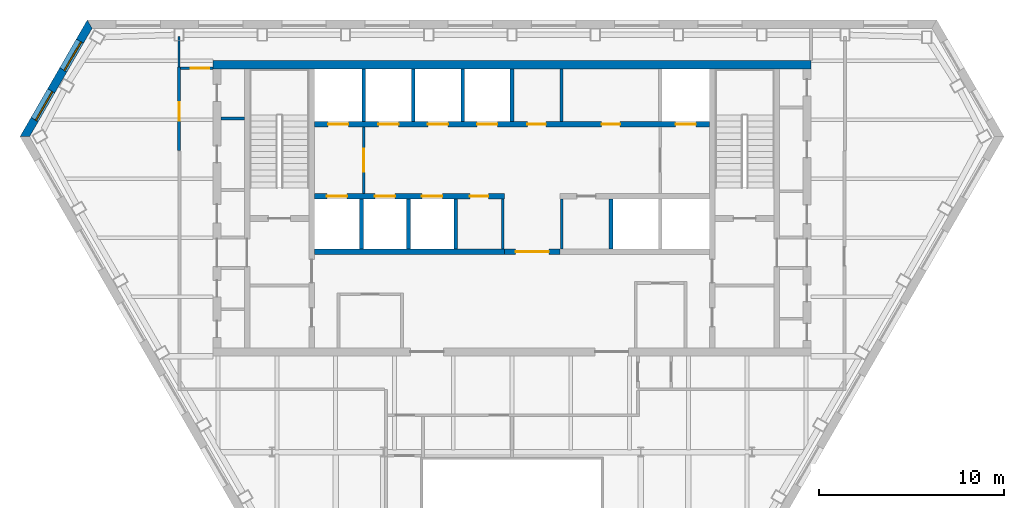
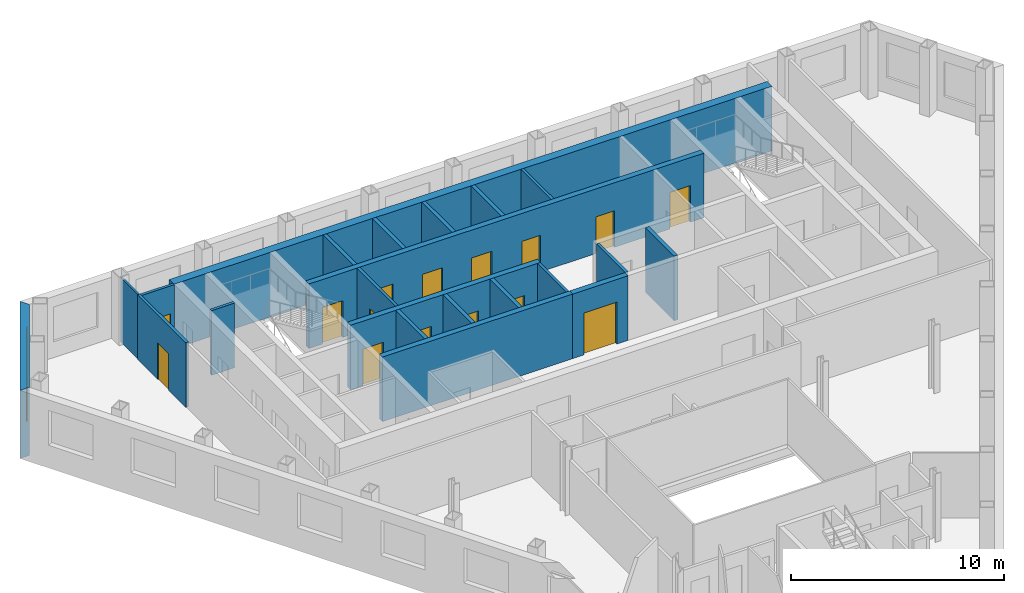
# One storey, part 6 of 11: 22 walls, 15 doors, 2 windows, 17 openings.
"""IFC4 building model written with IfcOpenShell, lengths in metres."""

from ifc_helpers import new_model, si_unit, direction, frame, frame_2d, origin, place, context, subcontext, project, spatial, polyline, rectangle, outline, extrude, material, layer, layer_set, type_object, element, fill, save


model = new_model("IFC4")

# Units and contexts
model_context = context("Model", 3, precision=1e-05, world=origin(), true_north=direction((0.0, 1.0)))
body_context = subcontext(model_context, "Body", "Model", "MODEL_VIEW")
ifc_project = project(units=[si_unit("LENGTHUNIT", "METRE"), si_unit("AREAUNIT", "SQUARE_METRE"), si_unit("VOLUMEUNIT", "CUBIC_METRE"), si_unit("PLANEANGLEUNIT", "RADIAN"), si_unit("MASSUNIT", "GRAM", prefix="KILO")], contexts=[model_context])

# Site, building, storey
site_placement = place(None, origin())
site = spatial("IfcSite", under=ifc_project, at=site_placement, CompositionType="ELEMENT")
building_placement = place(site_placement, origin())
building = spatial("IfcBuilding", under=site, at=building_placement, Name="Njiva Tower", CompositionType="ELEMENT")
storey_placement = place(building_placement, frame((0.0, 0.0, 208.2)))
storey = spatial("IfcBuildingStorey", under=building, at=storey_placement, Name="L46", CompositionType="ELEMENT", Elevation=208.2)

# Walls
ifc_material_1 = material(Name="Blockwork", Category="masonry")
ifc_layer_1 = layer(ifc_material_1, 0.15)
ifc_layer_set_1 = layer_set([ifc_layer_1], Name="Blockwork")
wall_type_1 = type_object("IfcWallType", Name="WT1 Compartment partition 150", PredefinedType="PARTITIONING", material=ifc_layer_set_1)
wall_1_placement = place(storey_placement, frame((2.675, 14.7, 0.0), z_axis=(0.0, 0.0, 1.0), x_axis=(0.0, 1.0, 0.0)))
element("IfcWall", 1, at=wall_1_placement, inside=storey, type_object=wall_type_1, Name="Partition CN5", PredefinedType="PARTITIONING", context=body_context, shape_type="SweptSolid", body=[
    extrude(rectangle(XDim=2.85, YDim=0.15, at=frame_2d((1.425, 0.0))), origin(), (0.0, 0.0, 1.0), 3.7),
])
for number, where, z_axis, x_axis, name in (
    (2, (-0.5, 7.8, 0.0), (0.0, 0.0, 1.0), (0.0, 1.0, 0.0), "Partition CS4"),
    (3, (2.7, 7.8, 0.0), (0.0, 0.0, 1.0), (0.0, 1.0, 0.0), "Partition CS5"),
):
    element("IfcWall", number, at=place(storey_placement, frame(where, z_axis=z_axis, x_axis=x_axis)), inside=storey, type_object=wall_type_1, Name=name, PredefinedType="PARTITIONING", context=body_context, shape_type="SweptSolid", body=[
        extrude(rectangle(XDim=2.7, YDim=0.15, at=frame_2d((1.35, 0.0))), origin(), (0.0, 0.0, 1.0), 3.7),
    ])
ifc_material_2 = material(Name="Concrete C60/75", Category="concrete")
ifc_layer_2 = layer(ifc_material_2, 0.45)
ifc_layer_set_2 = layer_set([ifc_layer_2], Name="Concrete C60/75")
wall_type_2 = type_object("IfcWallType", Name="WT12 Core wall 450", PredefinedType="SHEAR", material=ifc_layer_set_2)
wall_2_placement = place(storey_placement, frame((-16.2, 17.775, 0.0), z_axis=(0.0, 0.0, 1.0), x_axis=(1.0, 0.0, 0.0)))
element("IfcWall", 4, at=wall_2_placement, inside=storey, type_object=wall_type_2, Name="Core wall north", PredefinedType="SHEAR", context=body_context, shape_type="SweptSolid", body=[
    extrude(rectangle(XDim=32.4, YDim=0.45, at=frame_2d((16.2, 0.0))), origin(), (0.0, 0.0, 1.0), 3.7),
])

# Wall, opening, door
ifc_layer_3 = layer(ifc_material_1, 0.15)
ifc_layer_set_3 = layer_set([ifc_layer_3], Name="Blockwork")
wall_type_3 = type_object("IfcWallType", Name="WT2 Lobby partition 150", PredefinedType="PARTITIONING", material=ifc_layer_set_3)
wall_3_placement = place(storey_placement, frame((-8.025, 10.8, 0.0), z_axis=(0.0, 0.0, 1.0), x_axis=(0.0, 1.0, 0.0)))
wall_3 = element("IfcWall", 5, at=wall_3_placement, inside=storey, type_object=wall_type_3, Name="Firefighting lobby wall A", PredefinedType="PARTITIONING", context=body_context, shape_type="SweptSolid", body=[
    extrude(rectangle(XDim=3.6, YDim=0.15, at=frame_2d((1.8, 0.0))), origin(), (0.0, 0.0, 1.0), 3.7),
])
opening_1_placement = place(wall_3_placement, frame((1.175, 0.0, 0.0)))
opening_1 = element("IfcOpeningElement", 6, at=opening_1_placement, cuts=wall_3, Name="Opening S15-D913", PredefinedType="OPENING", context=body_context, shape_type="SweptSolid", body=[
    extrude(rectangle(XDim=1.25, YDim=2.1, at=frame_2d((0.625, 1.05))), frame((0.0, 0.085, 0.0), z_axis=(0.0, -1.0, 0.0), x_axis=(1.0, 0.0, 0.0)), (0.0, 0.0, 1.0), 0.17),
])
ifc_material_3 = material(Name="Glazed steel fire door", Category="steel")
door_type_1 = type_object("IfcDoorType", Name="D8 Vestibule corridor door 1250x2100 glazed", OperationType="SINGLE_SWING_LEFT", PredefinedType="DOOR", material=ifc_material_3)
door_1_placement = place(opening_1_placement, origin())
door_1 = element("IfcDoor", 7, at=door_1_placement, inside=storey, type_object=door_type_1, Name="Stair vestibule corridor door", OperationType="SINGLE_SWING_RIGHT", OverallHeight=2.1, OverallWidth=1.25, PredefinedType="DOOR", context=body_context, shape_type="SweptSolid", body=[
    extrude(rectangle(XDim=1.25, YDim=2.1, at=frame_2d((0.625, 1.05))), frame((0.0, 0.025, 0.0), z_axis=(0.0, -1.0, 0.0), x_axis=(1.0, 0.0, 0.0)), (0.0, 0.0, 1.0), 0.05),
])
fill(opening_1, door_1)

# Wall
ifc_material_4 = material(Name="Gypsum board on steel studs", Category="gypsum")
ifc_layer_4 = layer(ifc_material_4, 0.1)
ifc_layer_set_4 = layer_set([ifc_layer_4], Name="Gypsum board on steel studs")
wall_type_4 = type_object("IfcWallType", Name="WT20 Gypsum partition 100", PredefinedType="PARTITIONING", material=ifc_layer_set_4)
wall_4_placement = place(storey_placement, frame((-18.031, 17.657, 0.0), z_axis=(0.0, 0.0, 1.0), x_axis=(0.0, 1.0, 0.0)))
element("IfcWall", 8, at=wall_4_placement, inside=storey, type_object=wall_type_4, Name="Partition S15-P002", PredefinedType="PARTITIONING", context=body_context, shape_type="SweptSolid", body=[
    extrude(rectangle(XDim=1.643, YDim=0.1, at=frame_2d((0.8215, 0.0))), origin(), (0.0, 0.0, 1.0), 3.7),
])

# Wall, opening, door
ifc_layer_5 = layer(ifc_material_4, 0.15)
ifc_layer_set_5 = layer_set([ifc_layer_5], Name="Gypsum board on steel studs")
wall_type_5 = type_object("IfcWallType", Name="WT21 Compartment wall 150", PredefinedType="PARTITIONING", material=ifc_layer_set_5)
wall_5_placement = place(storey_placement, frame((-18.031, 13.123, 0.0), z_axis=(0.0, 0.0, 1.0), x_axis=(0.0, 1.0, 0.0)))
wall_5 = element("IfcWall", 9, at=wall_5_placement, inside=storey, type_object=wall_type_5, Name="Partition S15-P001", PredefinedType="PARTITIONING", context=body_context, shape_type="SweptSolid", body=[
    extrude(rectangle(XDim=4.534, YDim=0.15, at=frame_2d((2.267, 0.0))), origin(), (0.0, 0.0, 1.0), 3.7),
])
opening_2_placement = place(wall_5_placement, frame((1.633, 0.0, 0.0)))
opening_2 = element("IfcOpeningElement", 10, at=opening_2_placement, cuts=wall_5, Name="Opening S15-D001", PredefinedType="OPENING", context=body_context, shape_type="SweptSolid", body=[
    extrude(rectangle(XDim=1.0, YDim=2.1, at=frame_2d((0.5, 1.05))), frame((0.0, 0.085, 0.0), z_axis=(0.0, -1.0, 0.0), x_axis=(1.0, 0.0, 0.0)), (0.0, 0.0, 1.0), 0.17),
])
ifc_material_5 = material(Name="Steel fire door set", Category="steel")
door_type_2 = type_object("IfcDoorType", Name="D37 Fire door 1000x2100", OperationType="SINGLE_SWING_LEFT", PredefinedType="DOOR", material=ifc_material_5)
door_2_placement = place(opening_2_placement, origin())
door_2 = element("IfcDoor", 11, at=door_2_placement, inside=storey, type_object=door_type_2, Name="Door S15-D001", OperationType="SINGLE_SWING_RIGHT", OverallHeight=2.1, OverallWidth=1.0, PredefinedType="DOOR", context=body_context, shape_type="SweptSolid", body=[
    extrude(rectangle(XDim=1.0, YDim=2.1, at=frame_2d((0.5, 1.05))), frame((0.0, 0.025, 0.0), z_axis=(0.0, -1.0, 0.0), x_axis=(1.0, 0.0, 0.0)), (0.0, 0.0, 1.0), 0.05),
])
fill(opening_2, door_2)

wall_6_placement = place(storey_placement, frame((-17.956, 17.582, 0.0), z_axis=(0.0, 0.0, 1.0), x_axis=(1.0, 0.0, 0.0)))
wall_6 = element("IfcWall", 12, at=wall_6_placement, inside=storey, type_object=wall_type_5, Name="Partition S15-P004", PredefinedType="PARTITIONING", context=body_context, shape_type="SweptSolid", body=[
    extrude(rectangle(XDim=1.756, YDim=0.15, at=frame_2d((0.878, 0.0))), origin(), (0.0, 0.0, 1.0), 3.7),
])
opening_3_placement = place(wall_6_placement, frame((0.556, 0.0, 0.0)))
opening_3 = element("IfcOpeningElement", 13, at=opening_3_placement, cuts=wall_6, Name="Opening S15-D002", PredefinedType="OPENING", context=body_context, shape_type="SweptSolid", body=[
    extrude(rectangle(XDim=1.0, YDim=2.1, at=frame_2d((0.5, 1.05))), frame((0.0, 0.085, 0.0), z_axis=(0.0, -1.0, 0.0), x_axis=(1.0, 0.0, 0.0)), (0.0, 0.0, 1.0), 0.17),
])
door_3_placement = place(opening_3_placement, origin())
door_3 = element("IfcDoor", 14, at=door_3_placement, inside=storey, type_object=door_type_2, Name="Door S15-D002", OperationType="SINGLE_SWING_LEFT", OverallHeight=2.1, OverallWidth=1.0, PredefinedType="DOOR", context=body_context, shape_type="SweptSolid", body=[
    extrude(rectangle(XDim=1.0, YDim=2.1, at=frame_2d((0.5, 1.05))), frame((0.0, 0.025, 0.0), z_axis=(0.0, -1.0, 0.0), x_axis=(1.0, 0.0, 0.0)), (0.0, 0.0, 1.0), 0.05),
])
fill(opening_3, door_3)

# Wall
ifc_layer_6 = layer(ifc_material_1, 0.15)
ifc_layer_set_6 = layer_set([ifc_layer_6], Name="Blockwork")
wall_type_6 = type_object("IfcWallType", Name="WT3 Riser partition 150", PredefinedType="PARTITIONING", material=ifc_layer_set_6)
wall_7_placement = place(storey_placement, frame((-15.75, 14.8686, 0.0), z_axis=(0.0, 0.0, 1.0), x_axis=(1.0, 0.0, 0.0)))
element("IfcWall", 15, at=wall_7_placement, inside=storey, type_object=wall_type_6, Name="Partition strip W11", PredefinedType="PARTITIONING", context=body_context, shape_type="SweptSolid", body=[
    extrude(rectangle(XDim=1.25, YDim=0.15, at=frame_2d((0.625, 0.0))), origin(), (0.0, 0.0, 1.0), 3.7),
])

# Wall, opening, door
ifc_layer_7 = layer(ifc_material_1, 0.3)
ifc_layer_set_7 = layer_set([ifc_layer_7], Name="Blockwork")
wall_type_7 = type_object("IfcWallType", Name="WT5 Lobby partition 300", PredefinedType="PARTITIONING", material=ifc_layer_set_7)
wall_8_placement = place(storey_placement, frame((-0.4, 7.65, 0.0), z_axis=(0.0, 0.0, 1.0), x_axis=(1.0, 0.0, 0.0)))
wall_8 = element("IfcWall", 16, at=wall_8_placement, inside=storey, type_object=wall_type_7, Name="Lift lobby screen wall", PredefinedType="PARTITIONING", context=body_context, shape_type="SweptSolid", body=[
    extrude(rectangle(XDim=3.0, YDim=0.3, at=frame_2d((1.5, 0.0))), origin(), (0.0, 0.0, 1.0), 3.7),
])
opening_4_placement = place(wall_8_placement, frame((0.6, 0.0, 0.0)))
opening_4 = element("IfcOpeningElement", 17, at=opening_4_placement, cuts=wall_8, Name="Opening S15-D937", PredefinedType="OPENING", context=body_context, shape_type="SweptSolid", body=[
    extrude(rectangle(XDim=1.8, YDim=2.4, at=frame_2d((0.9, 1.2))), frame((0.0, 0.16, 0.0), z_axis=(0.0, -1.0, 0.0), x_axis=(1.0, 0.0, 0.0)), (0.0, 0.0, 1.0), 0.32),
])
ifc_material_6 = material(Name="Steel and glass door", Category="steel")
door_type_3 = type_object("IfcDoorType", Name="D3 Core entrance door 1800x2400", OperationType="DOUBLE_DOOR_SINGLE_SWING", PredefinedType="DOOR", material=ifc_material_6)
door_4_placement = place(opening_4_placement, origin())
door_4 = element("IfcDoor", 18, at=door_4_placement, inside=storey, type_object=door_type_3, Name="Core entrance door", OperationType="DOUBLE_DOOR_SINGLE_SWING", OverallHeight=2.4, OverallWidth=1.8, PredefinedType="DOOR", context=body_context, shape_type="SweptSolid", body=[
    extrude(rectangle(XDim=1.8, YDim=2.4, at=frame_2d((0.9, 1.2))), frame((0.0, 0.025, 0.0), z_axis=(0.0, -1.0, 0.0), x_axis=(1.0, 0.0, 0.0)), (0.0, 0.0, 1.0), 0.05),
])
fill(opening_4, door_4)

# Walls
ifc_material_7 = material(Name="Concrete C40/50", Category="concrete")
ifc_layer_8 = layer(ifc_material_7, 0.2)
ifc_layer_set_8 = layer_set([ifc_layer_8], Name="Concrete C40/50")
wall_type_8 = type_object("IfcWallType", Name="WT6 Lift shaft wall 200", PredefinedType="SHEAR", material=ifc_layer_set_8)
for number, where, z_axis, x_axis, name in (
    (19, (-8.025, 14.7, 0.0), (0.0, 0.0, 1.0), (0.0, 1.0, 0.0), "Shaft wall CN1"),
    (20, (-5.35, 14.7, 0.0), (0.0, 0.0, 1.0), (0.0, 1.0, 0.0), "Shaft wall CN2"),
    (21, (-2.675, 14.7, 0.0), (0.0, 0.0, 1.0), (0.0, 1.0, 0.0), "Shaft wall CN3"),
    (22, (0.0, 14.7, 0.0), (0.0, 0.0, 1.0), (0.0, 1.0, 0.0), "Shaft wall CN4"),
):
    element("IfcWall", number, at=place(storey_placement, frame(where, z_axis=z_axis, x_axis=x_axis)), inside=storey, type_object=wall_type_8, Name=name, PredefinedType="SHEAR", context=body_context, shape_type="SweptSolid", body=[
        extrude(rectangle(XDim=2.85, YDim=0.2, at=frame_2d((1.425, 0.0))), origin(), (0.0, 0.0, 1.0), 3.7),
    ])
for number, where, z_axis, x_axis, name in (
    (23, (-8.15, 7.8, 0.0), (0.0, 0.0, 1.0), (0.0, 1.0, 0.0), "Shaft wall CS1"),
    (24, (-5.6, 7.8, 0.0), (0.0, 0.0, 1.0), (0.0, 1.0, 0.0), "Shaft wall CS2"),
    (25, (-3.05, 7.8, 0.0), (0.0, 0.0, 1.0), (0.0, 1.0, 0.0), "Shaft wall CS3"),
    (26, (5.3667, 7.8, 0.0), (0.0, 0.0, 1.0), (0.0, 1.0, 0.0), "Shaft wall CS6"),
):
    element("IfcWall", number, at=place(storey_placement, frame(where, z_axis=z_axis, x_axis=x_axis)), inside=storey, type_object=wall_type_8, Name=name, PredefinedType="SHEAR", context=body_context, shape_type="SweptSolid", body=[
        extrude(rectangle(XDim=2.7, YDim=0.2, at=frame_2d((1.35, 0.0))), origin(), (0.0, 0.0, 1.0), 3.7),
    ])

# Wall, openings, doors
ifc_layer_9 = layer(ifc_material_7, 0.3)
ifc_layer_set_9 = layer_set([ifc_layer_9], Name="Concrete C40/50")
wall_type_9 = type_object("IfcWallType", Name="WT7 Lift shaft wall 300", PredefinedType="SHEAR", material=ifc_layer_set_9)
wall_9_placement = place(storey_placement, frame((-10.7, 14.55, 0.0), z_axis=(0.0, 0.0, 1.0), x_axis=(1.0, 0.0, 0.0)))
wall_9 = element("IfcWall", 27, at=wall_9_placement, inside=storey, type_object=wall_type_9, Name="Shaft wall north row lobby side", PredefinedType="SHEAR", context=body_context, shape_type="SweptSolid", body=[
    extrude(rectangle(XDim=21.4, YDim=0.3, at=frame_2d((10.7, 0.0))), origin(), (0.0, 0.0, 1.0), 3.7),
])
opening_5_placement = place(wall_9_placement, frame((0.7375, 0.0, 0.0)))
opening_5 = element("IfcOpeningElement", 28, at=opening_5_placement, cuts=wall_9, Name="Opening S15-D901", PredefinedType="OPENING", context=body_context, shape_type="SweptSolid", body=[
    extrude(rectangle(XDim=1.1, YDim=2.1, at=frame_2d((0.55, 1.05))), frame((0.0, 0.16, 0.0), z_axis=(0.0, -1.0, 0.0), x_axis=(1.0, 0.0, 0.0)), (0.0, 0.0, 1.0), 0.32),
])
opening_6_placement = place(wall_9_placement, frame((3.4625, 0.0, 0.0)))
opening_6 = element("IfcOpeningElement", 29, at=opening_6_placement, cuts=wall_9, Name="Opening S15-D902", PredefinedType="OPENING", context=body_context, shape_type="SweptSolid", body=[
    extrude(rectangle(XDim=1.1, YDim=2.1, at=frame_2d((0.55, 1.05))), frame((0.0, 0.16, 0.0), z_axis=(0.0, -1.0, 0.0), x_axis=(1.0, 0.0, 0.0)), (0.0, 0.0, 1.0), 0.32),
])
opening_7_placement = place(wall_9_placement, frame((6.1375, 0.0, 0.0)))
opening_7 = element("IfcOpeningElement", 30, at=opening_7_placement, cuts=wall_9, Name="Opening S15-D903", PredefinedType="OPENING", context=body_context, shape_type="SweptSolid", body=[
    extrude(rectangle(XDim=1.1, YDim=2.1, at=frame_2d((0.55, 1.05))), frame((0.0, 0.16, 0.0), z_axis=(0.0, -1.0, 0.0), x_axis=(1.0, 0.0, 0.0)), (0.0, 0.0, 1.0), 0.32),
])
opening_8_placement = place(wall_9_placement, frame((8.8125, 0.0, 0.0)))
opening_8 = element("IfcOpeningElement", 31, at=opening_8_placement, cuts=wall_9, Name="Opening S15-D904", PredefinedType="OPENING", context=body_context, shape_type="SweptSolid", body=[
    extrude(rectangle(XDim=1.1, YDim=2.1, at=frame_2d((0.55, 1.05))), frame((0.0, 0.16, 0.0), z_axis=(0.0, -1.0, 0.0), x_axis=(1.0, 0.0, 0.0)), (0.0, 0.0, 1.0), 0.32),
])
opening_9_placement = place(wall_9_placement, frame((19.5625, 0.0, 0.0)))
opening_9 = element("IfcOpeningElement", 32, at=opening_9_placement, cuts=wall_9, Name="Opening S15-D905", PredefinedType="OPENING", context=body_context, shape_type="SweptSolid", body=[
    extrude(rectangle(XDim=1.1, YDim=2.1, at=frame_2d((0.55, 1.05))), frame((0.0, 0.16, 0.0), z_axis=(0.0, -1.0, 0.0), x_axis=(1.0, 0.0, 0.0)), (0.0, 0.0, 1.0), 0.32),
])
opening_10_placement = place(wall_9_placement, frame((11.5375, 0.0, 0.0)))
opening_10 = element("IfcOpeningElement", 33, at=opening_10_placement, cuts=wall_9, Name="Opening S15-D909", PredefinedType="OPENING", context=body_context, shape_type="SweptSolid", body=[
    extrude(rectangle(XDim=1.0, YDim=2.1, at=frame_2d((0.5, 1.05))), frame((0.0, 0.16, 0.0), z_axis=(0.0, -1.0, 0.0), x_axis=(1.0, 0.0, 0.0)), (0.0, 0.0, 1.0), 0.32),
])
opening_11_placement = place(wall_9_placement, frame((15.55, 0.0, 0.0)))
opening_11 = element("IfcOpeningElement", 34, at=opening_11_placement, cuts=wall_9, Name="Opening S15-D910", PredefinedType="OPENING", context=body_context, shape_type="SweptSolid", body=[
    extrude(rectangle(XDim=1.0, YDim=2.1, at=frame_2d((0.5, 1.05))), frame((0.0, 0.16, 0.0), z_axis=(0.0, -1.0, 0.0), x_axis=(1.0, 0.0, 0.0)), (0.0, 0.0, 1.0), 0.32),
])
ifc_material_8 = material(Name="Steel door, painted", Category="steel")
door_type_4 = type_object("IfcDoorType", Name="D5 Steel door 1000x2100", OperationType="SINGLE_SWING_LEFT", PredefinedType="DOOR", material=ifc_material_8)
door_5_placement = place(opening_10_placement, origin())
door_5 = element("IfcDoor", 35, at=door_5_placement, inside=storey, type_object=door_type_4, Name="Breakout room door", OperationType="SINGLE_SWING_LEFT", OverallHeight=2.1, OverallWidth=1.0, PredefinedType="DOOR", context=body_context, shape_type="SweptSolid", body=[
    extrude(rectangle(XDim=1.0, YDim=2.1, at=frame_2d((0.5, 1.05))), frame((0.0, 0.025, 0.0), z_axis=(0.0, -1.0, 0.0), x_axis=(1.0, 0.0, 0.0)), (0.0, 0.0, 1.0), 0.05),
])
fill(opening_10, door_5)
door_6_placement = place(opening_11_placement, origin())
door_6 = element("IfcDoor", 36, at=door_6_placement, inside=storey, type_object=door_type_4, Name="Reading room door", OperationType="SINGLE_SWING_LEFT", OverallHeight=2.1, OverallWidth=1.0, PredefinedType="DOOR", context=body_context, shape_type="SweptSolid", body=[
    extrude(rectangle(XDim=1.0, YDim=2.1, at=frame_2d((0.5, 1.05))), frame((0.0, 0.025, 0.0), z_axis=(0.0, -1.0, 0.0), x_axis=(1.0, 0.0, 0.0)), (0.0, 0.0, 1.0), 0.05),
])
fill(opening_11, door_6)
ifc_material_9 = material(Name="Stainless steel sliding door", Category="steel")
door_type_5 = type_object("IfcDoorType", Name="LD Lift landing door 1100x2100", OperationType="SLIDING_TO_LEFT", PredefinedType="DOOR", material=ifc_material_9)
door_7_placement = place(opening_5_placement, origin())
door_7 = element("IfcDoor", 37, at=door_7_placement, inside=storey, type_object=door_type_5, Name="Lift landing door FF1", OperationType="SLIDING_TO_LEFT", OverallHeight=2.1, OverallWidth=1.1, PredefinedType="DOOR", context=body_context, shape_type="SweptSolid", body=[
    extrude(rectangle(XDim=1.1, YDim=2.1, at=frame_2d((0.55, 1.05))), frame((0.0, 0.025, 0.0), z_axis=(0.0, -1.0, 0.0), x_axis=(1.0, 0.0, 0.0)), (0.0, 0.0, 1.0), 0.05),
])
fill(opening_5, door_7)
door_8_placement = place(opening_6_placement, origin())
door_8 = element("IfcDoor", 38, at=door_8_placement, inside=storey, type_object=door_type_5, Name="Lift landing door MB4", OperationType="SLIDING_TO_LEFT", OverallHeight=2.1, OverallWidth=1.1, PredefinedType="DOOR", context=body_context, shape_type="SweptSolid", body=[
    extrude(rectangle(XDim=1.1, YDim=2.1, at=frame_2d((0.55, 1.05))), frame((0.0, 0.025, 0.0), z_axis=(0.0, -1.0, 0.0), x_axis=(1.0, 0.0, 0.0)), (0.0, 0.0, 1.0), 0.05),
])
fill(opening_6, door_8)
door_9_placement = place(opening_7_placement, origin())
door_9 = element("IfcDoor", 39, at=door_9_placement, inside=storey, type_object=door_type_5, Name="Lift landing door MB5", OperationType="SLIDING_TO_LEFT", OverallHeight=2.1, OverallWidth=1.1, PredefinedType="DOOR", context=body_context, shape_type="SweptSolid", body=[
    extrude(rectangle(XDim=1.1, YDim=2.1, at=frame_2d((0.55, 1.05))), frame((0.0, 0.025, 0.0), z_axis=(0.0, -1.0, 0.0), x_axis=(1.0, 0.0, 0.0)), (0.0, 0.0, 1.0), 0.05),
])
fill(opening_7, door_9)
door_10_placement = place(opening_8_placement, origin())
door_10 = element("IfcDoor", 40, at=door_10_placement, inside=storey, type_object=door_type_5, Name="Lift landing door MB6", OperationType="SLIDING_TO_LEFT", OverallHeight=2.1, OverallWidth=1.1, PredefinedType="DOOR", context=body_context, shape_type="SweptSolid", body=[
    extrude(rectangle(XDim=1.1, YDim=2.1, at=frame_2d((0.55, 1.05))), frame((0.0, 0.025, 0.0), z_axis=(0.0, -1.0, 0.0), x_axis=(1.0, 0.0, 0.0)), (0.0, 0.0, 1.0), 0.05),
])
fill(opening_8, door_10)
door_11_placement = place(opening_9_placement, origin())
door_11 = element("IfcDoor", 41, at=door_11_placement, inside=storey, type_object=door_type_5, Name="Lift landing door FF2", OperationType="SLIDING_TO_LEFT", OverallHeight=2.1, OverallWidth=1.1, PredefinedType="DOOR", context=body_context, shape_type="SweptSolid", body=[
    extrude(rectangle(XDim=1.1, YDim=2.1, at=frame_2d((0.55, 1.05))), frame((0.0, 0.025, 0.0), z_axis=(0.0, -1.0, 0.0), x_axis=(1.0, 0.0, 0.0)), (0.0, 0.0, 1.0), 0.05),
])
fill(opening_9, door_11)

wall_10_placement = place(storey_placement, frame((-10.7, 10.65, 0.0), z_axis=(0.0, 0.0, 1.0), x_axis=(1.0, 0.0, 0.0)))
wall_10 = element("IfcWall", 42, at=wall_10_placement, inside=storey, type_object=wall_type_9, Name="Shaft wall south row lobby side W", PredefinedType="SHEAR", context=body_context, shape_type="SweptSolid", body=[
    extrude(rectangle(XDim=10.3, YDim=0.3, at=frame_2d((5.15, 0.0))), origin(), (0.0, 0.0, 1.0), 3.7),
])
opening_12_placement = place(wall_10_placement, frame((0.675, 0.0, 0.0)))
opening_12 = element("IfcOpeningElement", 43, at=opening_12_placement, cuts=wall_10, Name="Opening S15-D906", PredefinedType="OPENING", context=body_context, shape_type="SweptSolid", body=[
    extrude(rectangle(XDim=1.1, YDim=2.1, at=frame_2d((0.55, 1.05))), frame((0.0, 0.16, 0.0), z_axis=(0.0, -1.0, 0.0), x_axis=(1.0, 0.0, 0.0)), (0.0, 0.0, 1.0), 0.32),
])
opening_13_placement = place(wall_10_placement, frame((3.275, 0.0, 0.0)))
opening_13 = element("IfcOpeningElement", 44, at=opening_13_placement, cuts=wall_10, Name="Opening S15-D907", PredefinedType="OPENING", context=body_context, shape_type="SweptSolid", body=[
    extrude(rectangle(XDim=1.1, YDim=2.1, at=frame_2d((0.55, 1.05))), frame((0.0, 0.16, 0.0), z_axis=(0.0, -1.0, 0.0), x_axis=(1.0, 0.0, 0.0)), (0.0, 0.0, 1.0), 0.32),
])
opening_14_placement = place(wall_10_placement, frame((5.825, 0.0, 0.0)))
opening_14 = element("IfcOpeningElement", 45, at=opening_14_placement, cuts=wall_10, Name="Opening S15-D908", PredefinedType="OPENING", context=body_context, shape_type="SweptSolid", body=[
    extrude(rectangle(XDim=1.1, YDim=2.1, at=frame_2d((0.55, 1.05))), frame((0.0, 0.16, 0.0), z_axis=(0.0, -1.0, 0.0), x_axis=(1.0, 0.0, 0.0)), (0.0, 0.0, 1.0), 0.32),
])
opening_15_placement = place(wall_10_placement, frame((8.425, 0.0, 0.0)))
opening_15 = element("IfcOpeningElement", 46, at=opening_15_placement, cuts=wall_10, Name="Opening S15-D911", PredefinedType="OPENING", context=body_context, shape_type="SweptSolid", body=[
    extrude(rectangle(XDim=1.0, YDim=2.1, at=frame_2d((0.5, 1.05))), frame((0.0, 0.16, 0.0), z_axis=(0.0, -1.0, 0.0), x_axis=(1.0, 0.0, 0.0)), (0.0, 0.0, 1.0), 0.32),
])
door_12_placement = place(opening_15_placement, origin())
door_12 = element("IfcDoor", 47, at=door_12_placement, inside=storey, type_object=door_type_4, Name="Quiet room door", OperationType="SINGLE_SWING_RIGHT", OverallHeight=2.1, OverallWidth=1.0, PredefinedType="DOOR", context=body_context, shape_type="SweptSolid", body=[
    extrude(rectangle(XDim=1.0, YDim=2.1, at=frame_2d((0.5, 1.05))), frame((0.0, 0.025, 0.0), z_axis=(0.0, -1.0, 0.0), x_axis=(1.0, 0.0, 0.0)), (0.0, 0.0, 1.0), 0.05),
])
fill(opening_15, door_12)
door_13_placement = place(opening_12_placement, origin())
door_13 = element("IfcDoor", 48, at=door_13_placement, inside=storey, type_object=door_type_5, Name="Lift landing door MB1", OperationType="SLIDING_TO_LEFT", OverallHeight=2.1, OverallWidth=1.1, PredefinedType="DOOR", context=body_context, shape_type="SweptSolid", body=[
    extrude(rectangle(XDim=1.1, YDim=2.1, at=frame_2d((0.55, 1.05))), frame((0.0, 0.025, 0.0), z_axis=(0.0, -1.0, 0.0), x_axis=(1.0, 0.0, 0.0)), (0.0, 0.0, 1.0), 0.05),
])
fill(opening_12, door_13)
door_14_placement = place(opening_13_placement, origin())
door_14 = element("IfcDoor", 49, at=door_14_placement, inside=storey, type_object=door_type_5, Name="Lift landing door MB2", OperationType="SLIDING_TO_LEFT", OverallHeight=2.1, OverallWidth=1.1, PredefinedType="DOOR", context=body_context, shape_type="SweptSolid", body=[
    extrude(rectangle(XDim=1.1, YDim=2.1, at=frame_2d((0.55, 1.05))), frame((0.0, 0.025, 0.0), z_axis=(0.0, -1.0, 0.0), x_axis=(1.0, 0.0, 0.0)), (0.0, 0.0, 1.0), 0.05),
])
fill(opening_13, door_14)
door_15_placement = place(opening_14_placement, origin())
door_15 = element("IfcDoor", 50, at=door_15_placement, inside=storey, type_object=door_type_5, Name="Lift landing door MB3", OperationType="SLIDING_TO_LEFT", OverallHeight=2.1, OverallWidth=1.1, PredefinedType="DOOR", context=body_context, shape_type="SweptSolid", body=[
    extrude(rectangle(XDim=1.1, YDim=2.1, at=frame_2d((0.55, 1.05))), frame((0.0, 0.025, 0.0), z_axis=(0.0, -1.0, 0.0), x_axis=(1.0, 0.0, 0.0)), (0.0, 0.0, 1.0), 0.05),
])
fill(opening_14, door_15)

# Wall
wall_11_placement = place(storey_placement, frame((-10.7, 7.65, 0.0), z_axis=(0.0, 0.0, 1.0), x_axis=(1.0, 0.0, 0.0)))
element("IfcWall", 51, at=wall_11_placement, inside=storey, type_object=wall_type_9, Name="Shaft wall south row back W", PredefinedType="SHEAR", context=body_context, shape_type="SweptSolid", body=[
    extrude(rectangle(XDim=10.3, YDim=0.3, at=frame_2d((5.15, 0.0))), origin(), (0.0, 0.0, 1.0), 3.7),
])

# Wall, openings, windows
ifc_material_10 = material(Name="Brick masonry, buff", Category="masonry")
ifc_layer_10 = layer(ifc_material_10, 0.45)
ifc_layer_set_10 = layer_set([ifc_layer_10], Name="Brick masonry, buff")
wall_type_10 = type_object("IfcWallType", Name="WT94 Brick pier and spandrel wall 450, buff", PredefinedType="SOLIDWALL", material=ifc_layer_set_10)
wall_12_placement = place(storey_placement, frame((-22.8701, 19.975, -0.4), z_axis=(0.0, 0.0, 1.0), x_axis=(-0.500001958282, -0.866024273167, 0.0)))
wall_12 = element("IfcWall", 52, at=wall_12_placement, inside=storey, type_object=wall_type_10, Name="Facade wall NW", PredefinedType="SOLIDWALL", context=body_context, shape_type="SweptSolid", body=[
    extrude(outline(polyline([(-0.1299, -0.225), (7.1601, -0.225), (6.9003, 0.225), (0.1299, 0.225), (-0.1299, -0.225)])), origin(), (0.0, 0.0, 1.0), 3.9),
])
opening_16_placement = place(wall_12_placement, frame((1.0619, 0.0, 1.3)))
opening_16 = element("IfcOpeningElement", 53, at=opening_16_placement, cuts=wall_12, Name="Opening S15-W10", PredefinedType="OPENING", context=body_context, shape_type="SweptSolid", body=[
    extrude(rectangle(XDim=1.8, YDim=2.0, at=frame_2d((0.9, 1.0))), frame((0.0, 0.235, 0.0), z_axis=(0.0, -1.0, 0.0), x_axis=(1.0, 0.0, 0.0)), (0.0, 0.0, 1.0), 0.47),
])
opening_17_placement = place(wall_12_placement, frame((4.1682, 0.0, 1.3)))
opening_17 = element("IfcOpeningElement", 54, at=opening_17_placement, cuts=wall_12, Name="Opening S15-W11", PredefinedType="OPENING", context=body_context, shape_type="SweptSolid", body=[
    extrude(rectangle(XDim=1.8, YDim=2.0, at=frame_2d((0.9, 1.0))), frame((0.0, 0.235, 0.0), z_axis=(0.0, -1.0, 0.0), x_axis=(1.0, 0.0, 0.0)), (0.0, 0.0, 1.0), 0.47),
])
ifc_material_11 = material(Name="Clear glazing in aluminium frame", Category="aluminium")
window_type = type_object("IfcWindowType", Name="W94 Deep-set window 1800x2000", PartitioningType="SINGLE_PANEL", PredefinedType="WINDOW", material=ifc_material_11)
window_1_placement = place(opening_16_placement, origin())
window_1 = element("IfcWindow", 55, at=window_1_placement, inside=storey, type_object=window_type, Name="Window", OverallHeight=2.0, OverallWidth=1.8, PartitioningType="SINGLE_PANEL", PredefinedType="WINDOW", context=body_context, shape_type="SweptSolid", body=[
    extrude(rectangle(XDim=1.8, YDim=2.0, at=frame_2d((0.9, 1.0))), frame((0.0, 0.105, 0.0), z_axis=(0.0, -1.0, 0.0), x_axis=(1.0, 0.0, 0.0)), (0.0, 0.0, 1.0), 0.06),
])
fill(opening_16, window_1)
window_2_placement = place(opening_17_placement, origin())
window_2 = element("IfcWindow", 56, at=window_2_placement, inside=storey, type_object=window_type, Name="Window", OverallHeight=2.0, OverallWidth=1.8, PartitioningType="SINGLE_PANEL", PredefinedType="WINDOW", context=body_context, shape_type="SweptSolid", body=[
    extrude(rectangle(XDim=1.8, YDim=2.0, at=frame_2d((0.9, 1.0))), frame((0.0, 0.105, 0.0), z_axis=(0.0, -1.0, 0.0), x_axis=(1.0, 0.0, 0.0)), (0.0, 0.0, 1.0), 0.06),
])
fill(opening_17, window_2)

save(model, "model.ifc")
